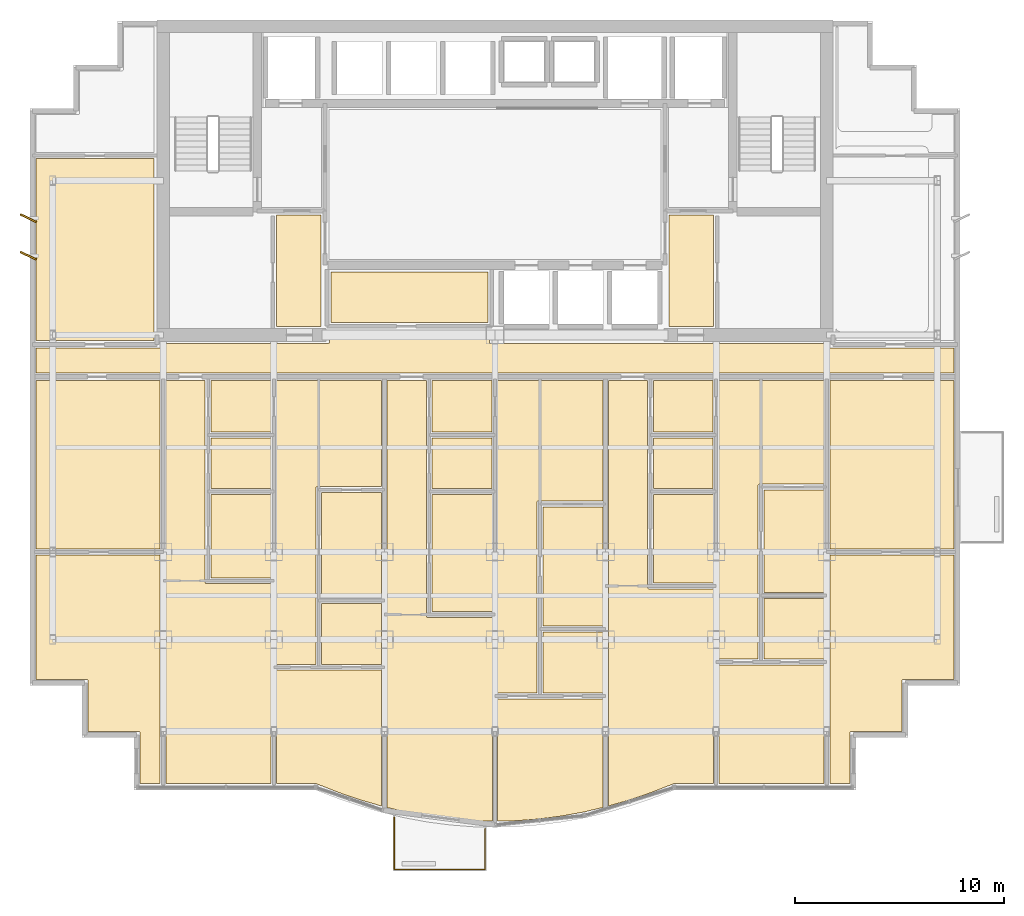
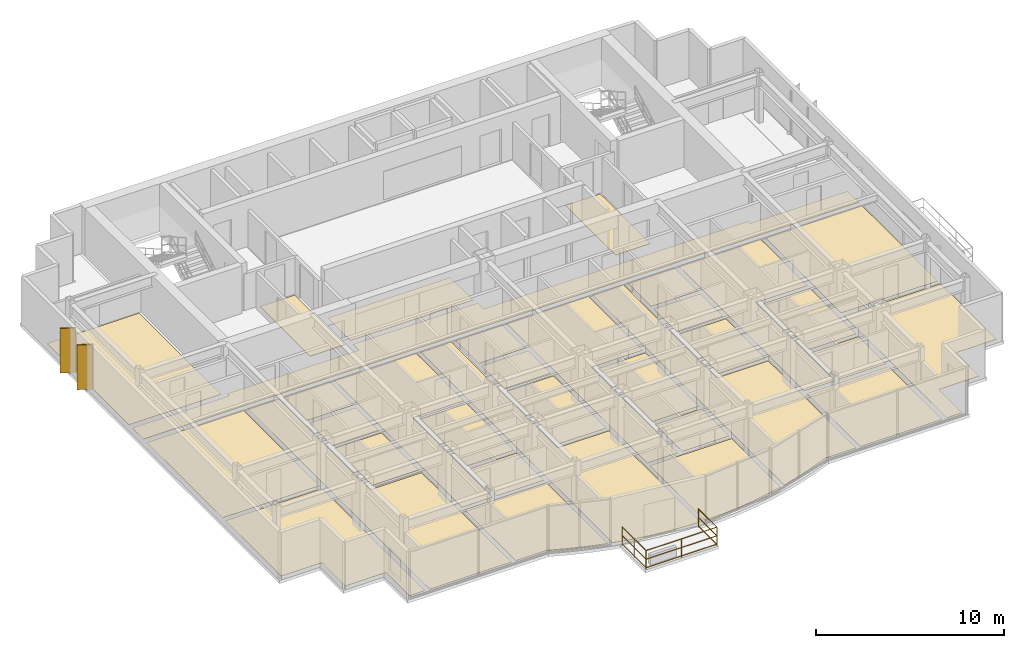
# One storey, part 10 of 11: 33 coverings, 2 shading devices, 1 railing.
"""IFC4 building model written with IfcOpenShell, lengths in metres."""

from ifc_helpers import new_model, si_unit, direction, frame, origin, origin_2d, place, context, subcontext, project, spatial, polyline, rectangle, circle, outline, extrude, source, transform, mapped, material, layer, layer_set, type_object, element, save


model = new_model("IFC4")

# Units and contexts
model_context = context("Model", 3, precision=1e-05, world=origin(), true_north=direction((0.0, 1.0)))
body_context = subcontext(model_context, "Body", "Model", "MODEL_VIEW")
ifc_project = project(units=[si_unit("LENGTHUNIT", "METRE"), si_unit("AREAUNIT", "SQUARE_METRE"), si_unit("VOLUMEUNIT", "CUBIC_METRE"), si_unit("PLANEANGLEUNIT", "RADIAN"), si_unit("MASSUNIT", "GRAM", prefix="KILO")], contexts=[model_context])

# Site, building, storey
site_placement = place(None, origin())
site = spatial("IfcSite", under=ifc_project, at=site_placement, CompositionType="ELEMENT")
building_placement = place(site_placement, origin())
building = spatial("IfcBuilding", under=site, at=building_placement, Name="Qianlan Lanfeng Residences", CompositionType="ELEMENT")
storey_placement = place(building_placement, frame((0.0, 0.0, 165.60009765625)))
storey = spatial("IfcBuildingStorey", under=building, at=storey_placement, Name="L45", CompositionType="ELEMENT", Elevation=165.60009765625)

# Coverings
ifc_material_1 = material(Name="Honed Taitung Granite Stone Flooring", Category="masonry")
ifc_layer_1 = layer(ifc_material_1, 0.030029296875)
ifc_layer_set_1 = layer_set([ifc_layer_1], Name="Honed Taitung Granite Stone Flooring")
covering_type_1 = type_object("IfcCoveringType", Name="FLR-STN-30", PredefinedType="FLOORING", material=ifc_layer_set_1)
covering_1_placement = place(storey_placement, origin())
element("IfcCovering", 1, at=covering_1_placement, inside=storey, type_object=covering_type_1, Name="L45 Residential Corridor Floor Finish", PredefinedType="FLOORING", context=body_context, shape_type="SweptSolid", body=[
    extrude(outline(polyline([(4.489990234375, 23.3798828125), (48.510009765625, 23.3798828125), (48.510009765625, 24.570068359375), (42.590087890625, 24.570068359375), (42.5830078125, 24.570068359375), (42.575927734375, 24.571044921875), (42.570068359375, 24.572998046875), (42.56298828125, 24.574951171875), (42.556884765625, 24.577880859375), (42.551025390625, 24.58203125), (42.5458984375, 24.5859375), (42.541015625, 24.591064453125), (42.535888671875, 24.595947265625), (42.531982421875, 24.60107421875), (42.528076171875, 24.60693359375), (42.52490234375, 24.613037109375), (42.52294921875, 24.6201171875), (42.52099609375, 24.6259765625), (42.52001953125, 24.633056640625), (42.52001953125, 24.639892578125), (42.52001953125, 24.800048828125), (26.300048828125, 24.800048828125), (26.29296875, 24.800048828125), (26.285888671875, 24.801025390625), (26.280029296875, 24.802978515625), (26.27294921875, 24.804931640625), (26.26708984375, 24.80810546875), (26.260986328125, 24.81201171875), (26.256103515625, 24.81591796875), (26.2509765625, 24.821044921875), (26.24609375, 24.825927734375), (26.241943359375, 24.8310546875), (26.238037109375, 24.8369140625), (26.235107421875, 24.843017578125), (26.23291015625, 24.85009765625), (26.23095703125, 24.85595703125), (26.22998046875, 24.863037109375), (26.22998046875, 24.8701171875), (26.22998046875, 25.429931640625), (18.570068359375, 25.429931640625), (18.570068359375, 24.8701171875), (18.570068359375, 24.863037109375), (18.569091796875, 24.85595703125), (18.56689453125, 24.85009765625), (18.56494140625, 24.843017578125), (18.56201171875, 24.8369140625), (18.55810546875, 24.8310546875), (18.553955078125, 24.825927734375), (18.549072265625, 24.821044921875), (18.5439453125, 24.81591796875), (18.5390625, 24.81201171875), (18.532958984375, 24.80810546875), (18.527099609375, 24.804931640625), (18.52001953125, 24.802978515625), (18.513916015625, 24.801025390625), (18.507080078125, 24.800048828125), (18.5, 24.800048828125), (10.47998046875, 24.800048828125), (10.47998046875, 24.639892578125), (10.47998046875, 24.633056640625), (10.47900390625, 24.6259765625), (10.47705078125, 24.6201171875), (10.47509765625, 24.613037109375), (10.471923828125, 24.60693359375), (10.468017578125, 24.60107421875), (10.464111328125, 24.595947265625), (10.458984375, 24.591064453125), (10.4541015625, 24.5859375), (10.448974609375, 24.58203125), (10.443115234375, 24.577880859375), (10.43701171875, 24.574951171875), (10.429931640625, 24.572998046875), (10.424072265625, 24.571044921875), (10.4169921875, 24.570068359375), (10.409912109375, 24.570068359375), (4.489990234375, 24.570068359375), (4.489990234375, 23.3798828125)])), origin(), (0.0, 0.0, 1.0), 0.02978515625),
])
covering_2_placement = place(storey_placement, origin())
element("IfcCovering", 2, at=covering_2_placement, inside=storey, type_object=covering_type_1, Name="L45 Lift Lobby Floor Finish", PredefinedType="FLOORING", context=body_context, shape_type="SweptSolid", body=[
    extrude(outline(polyline([(16.030029296875, 25.610107421875), (18.169921875, 25.610107421875), (18.169921875, 30.949951171875), (16.030029296875, 30.949951171875), (16.030029296875, 25.610107421875)])), origin(), (0.0, 0.0, 1.0), 0.02978515625),
])
covering_3_placement = place(storey_placement, origin())
element("IfcCovering", 3, at=covering_3_placement, inside=storey, type_object=covering_type_1, Name="L45 Lift Lobby Floor Finish", PredefinedType="FLOORING", context=body_context, shape_type="SweptSolid", body=[
    extrude(outline(polyline([(34.830078125, 25.610107421875), (36.969970703125, 25.610107421875), (36.969970703125, 30.949951171875), (34.830078125, 30.949951171875), (34.830078125, 25.610107421875)])), origin(), (0.0, 0.0, 1.0), 0.02978515625),
])
ifc_material_2 = material(Name="Slip-Resistant Porcelain Tile Flooring")
ifc_layer_2 = layer(ifc_material_2, 0.02001953125)
ifc_layer_set_2 = layer_set([ifc_layer_2], Name="Slip-Resistant Porcelain Tile Flooring")
covering_type_2 = type_object("IfcCoveringType", Name="FLR-TIL-20", PredefinedType="FLOORING", material=ifc_layer_set_2)
covering_4_placement = place(storey_placement, origin())
element("IfcCovering", 4, at=covering_4_placement, inside=storey, type_object=covering_type_2, Name="L45 Kitchen Floor Finish", PredefinedType="FLOORING", context=body_context, shape_type="SweptSolid", body=[
    extrude(outline(polyline([(12.889892578125, 17.840087890625), (15.760009765625, 17.840087890625), (15.760009765625, 20.260009765625), (12.889892578125, 20.260009765625), (12.889892578125, 17.840087890625)])), origin(), (0.0, 0.0, 1.0), 0.02001953125),
])
covering_5_placement = place(storey_placement, origin())
element("IfcCovering", 5, at=covering_5_placement, inside=storey, type_object=covering_type_2, Name="L45 Bathroom Floor Finish", PredefinedType="FLOORING", context=body_context, shape_type="SweptSolid", body=[
    extrude(outline(polyline([(12.889892578125, 20.5400390625), (15.760009765625, 20.5400390625), (15.760009765625, 23.030029296875), (12.889892578125, 23.030029296875), (12.889892578125, 20.5400390625)])), origin(), (0.0, 0.0, 1.0), 0.02001953125),
])
covering_6_placement = place(storey_placement, origin())
element("IfcCovering", 6, at=covering_6_placement, inside=storey, type_object=covering_type_2, Name="L45 En-Suite Bathroom Floor Finish", PredefinedType="FLOORING", context=body_context, shape_type="SweptSolid", body=[
    extrude(outline(polyline([(18.18994140625, 9.4140625), (21.070068359375, 9.4140625), (21.070068359375, 12.333984375), (18.18994140625, 12.333984375), (18.18994140625, 9.4140625)])), origin(), (0.0, 0.0, 1.0), 0.02001953125),
])
covering_7_placement = place(storey_placement, origin())
element("IfcCovering", 7, at=covering_7_placement, inside=storey, type_object=covering_type_2, Name="L45 Kitchen Floor Finish", PredefinedType="FLOORING", context=body_context, shape_type="SweptSolid", body=[
    extrude(outline(polyline([(23.489990234375, 17.840087890625), (26.360107421875, 17.840087890625), (26.360107421875, 20.260009765625), (23.489990234375, 20.260009765625), (23.489990234375, 17.840087890625)])), origin(), (0.0, 0.0, 1.0), 0.02001953125),
])
covering_8_placement = place(storey_placement, origin())
element("IfcCovering", 8, at=covering_8_placement, inside=storey, type_object=covering_type_2, Name="L45 Bathroom Floor Finish", PredefinedType="FLOORING", context=body_context, shape_type="SweptSolid", body=[
    extrude(outline(polyline([(23.489990234375, 20.5400390625), (26.360107421875, 20.5400390625), (26.360107421875, 23.030029296875), (23.489990234375, 23.030029296875), (23.489990234375, 20.5400390625)])), origin(), (0.0, 0.0, 1.0), 0.02001953125),
])
covering_9_placement = place(storey_placement, origin())
element("IfcCovering", 9, at=covering_9_placement, inside=storey, type_object=covering_type_2, Name="L45 En-Suite Bathroom Floor Finish", PredefinedType="FLOORING", context=body_context, shape_type="SweptSolid", body=[
    extrude(outline(polyline([(28.7900390625, 8.0390625), (31.669921875, 8.0390625), (31.669921875, 10.958984375), (28.7900390625, 10.958984375), (28.7900390625, 8.0390625)])), origin(), (0.0, 0.0, 1.0), 0.02001953125),
])
covering_10_placement = place(storey_placement, origin())
element("IfcCovering", 10, at=covering_10_placement, inside=storey, type_object=covering_type_2, Name="L45 Kitchen Floor Finish", PredefinedType="FLOORING", context=body_context, shape_type="SweptSolid", body=[
    extrude(outline(polyline([(34.090087890625, 17.840087890625), (36.9599609375, 17.840087890625), (36.9599609375, 20.260009765625), (34.090087890625, 20.260009765625), (34.090087890625, 17.840087890625)])), origin(), (0.0, 0.0, 1.0), 0.02001953125),
])
covering_11_placement = place(storey_placement, origin())
element("IfcCovering", 11, at=covering_11_placement, inside=storey, type_object=covering_type_2, Name="L45 Bathroom Floor Finish", PredefinedType="FLOORING", context=body_context, shape_type="SweptSolid", body=[
    extrude(outline(polyline([(34.090087890625, 20.5400390625), (36.9599609375, 20.5400390625), (36.9599609375, 23.030029296875), (34.090087890625, 23.030029296875), (34.090087890625, 20.5400390625)])), origin(), (0.0, 0.0, 1.0), 0.02001953125),
])
covering_12_placement = place(storey_placement, origin())
element("IfcCovering", 12, at=covering_12_placement, inside=storey, type_object=covering_type_2, Name="L45 En-Suite Bathroom Floor Finish", PredefinedType="FLOORING", context=body_context, shape_type="SweptSolid", body=[
    extrude(outline(polyline([(39.389892578125, 9.659912109375), (42.27001953125, 9.659912109375), (42.27001953125, 12.580078125), (39.389892578125, 12.580078125), (39.389892578125, 9.659912109375)])), origin(), (0.0, 0.0, 1.0), 0.02001953125),
])
ifc_material_3 = material(Name="Engineered Smoked Oak Timber Flooring", Category="wood")
ifc_layer_3 = layer(ifc_material_3, 0.02197265625)
ifc_layer_set_3 = layer_set([ifc_layer_3], Name="Engineered Smoked Oak Timber Flooring")
covering_type_3 = type_object("IfcCoveringType", Name="FLR-TIM-22", PredefinedType="FLOORING", material=ifc_layer_set_3)
covering_13_placement = place(storey_placement, origin())
element("IfcCovering", 13, at=covering_13_placement, inside=storey, type_object=covering_type_3, Name="L45 Resident Reading Lounge Floor Finish", PredefinedType="FLOORING", context=body_context, shape_type="SweptSolid", body=[
    extrude(outline(polyline([(18.6298828125, 25.800048828125), (26.169921875, 25.800048828125), (26.169921875, 28.22998046875), (18.6298828125, 28.22998046875), (18.6298828125, 25.800048828125)])), origin(), (0.0, 0.0, 1.0), 0.02197265625),
])
covering_14_placement = place(storey_placement, origin())
element("IfcCovering", 14, at=covering_14_placement, inside=storey, type_object=covering_type_3, Name="L45 Living and Dining Room Floor Finish", PredefinedType="FLOORING", context=body_context, shape_type="SweptSolid", body=[
    extrude(outline(polyline([(15.77001953125, 3.68994140625), (15.77001953125, 13.280029296875), (12.679931640625, 13.280029296875), (12.673095703125, 13.280029296875), (12.666015625, 13.281005859375), (12.659912109375, 13.282958984375), (12.653076171875, 13.284912109375), (12.64697265625, 13.2880859375), (12.64111328125, 13.2919921875), (12.635986328125, 13.2958984375), (12.631103515625, 13.301025390625), (12.6259765625, 13.305908203125), (12.6220703125, 13.31103515625), (12.617919921875, 13.31689453125), (12.614990234375, 13.322998046875), (12.613037109375, 13.330078125), (12.611083984375, 13.3359375), (12.610107421875, 13.343017578125), (12.610107421875, 13.35009765625), (12.610107421875, 23.030029296875), (10.72998046875, 23.030029296875), (10.72998046875, 3.68994140625), (15.77001953125, 3.68994140625)])), origin(), (0.0, 0.0, 1.0), 0.02197265625),
])
covering_15_placement = place(storey_placement, origin())
element("IfcCovering", 15, at=covering_15_placement, inside=storey, type_object=covering_type_3, Name="L45 Villa Family Sitting Room Floor Finish", PredefinedType="FLOORING", context=body_context, shape_type="SweptSolid", body=[
    extrude(outline(polyline([(12.889892578125, 17.56005859375), (12.889892578125, 13.56005859375), (15.77001953125, 13.56005859375), (15.77001953125, 17.56005859375), (12.889892578125, 17.56005859375)])), origin(), (0.0, 0.0, 1.0), 0.02197265625),
])
covering_16_placement = place(storey_placement, origin())
element("IfcCovering", 16, at=covering_16_placement, inside=storey, type_object=covering_type_3, Name="L45 Private Study Floor Finish", PredefinedType="FLOORING", context=body_context, shape_type="SweptSolid", body=[
    extrude(outline(polyline([(18.18994140625, 12.614013671875), (21.070068359375, 12.614013671875), (21.070068359375, 17.64697265625), (18.18994140625, 17.64697265625), (18.18994140625, 12.614013671875)])), origin(), (0.0, 0.0, 1.0), 0.02197265625),
])
covering_17_placement = place(storey_placement, origin())
element("IfcCovering", 17, at=covering_17_placement, inside=storey, type_object=covering_type_3, Name="L45 Villa Family Sitting Room Floor Finish", PredefinedType="FLOORING", context=body_context, shape_type="SweptSolid", body=[
    extrude(outline(polyline([(16.030029296875, 9.4140625), (17.909912109375, 9.4140625), (17.909912109375, 17.85693359375), (17.909912109375, 17.864013671875), (17.910888671875, 17.87109375), (17.9130859375, 17.876953125), (17.9150390625, 17.884033203125), (17.91796875, 17.889892578125), (17.922119140625, 17.89599609375), (17.926025390625, 17.90087890625), (17.930908203125, 17.906005859375), (17.93603515625, 17.910888671875), (17.94091796875, 17.9150390625), (17.947021484375, 17.9189453125), (17.952880859375, 17.922119140625), (17.9599609375, 17.924072265625), (17.966064453125, 17.926025390625), (17.972900390625, 17.927001953125), (17.97998046875, 17.927001953125), (21.070068359375, 17.927001953125), (21.070068359375, 23.030029296875), (16.030029296875, 23.030029296875), (16.030029296875, 9.4140625)])), origin(), (0.0, 0.0, 1.0), 0.02197265625),
])
covering_18_placement = place(storey_placement, origin())
element("IfcCovering", 18, at=covering_18_placement, inside=storey, type_object=covering_type_3, Name="L45 Master Bedroom Floor Finish", PredefinedType="FLOORING", context=body_context, shape_type="SweptSolid", body=[
    extrude(outline(polyline([(16.030029296875, 9.134033203125), (16.030029296875, 3.68994140625), (17.922119140625, 3.68994140625), (17.927978515625, 3.68994140625), (17.93505859375, 3.68896484375), (17.94091796875, 3.68701171875), (17.947021484375, 3.68505859375), (19.056884765625, 3.25), (20.1220703125, 2.888916015625), (21.070068359375, 2.616943359375), (21.070068359375, 9.134033203125), (16.030029296875, 9.134033203125)])), origin(), (0.0, 0.0, 1.0), 0.02197265625),
])
covering_19_placement = place(storey_placement, origin())
element("IfcCovering", 19, at=covering_19_placement, inside=storey, type_object=covering_type_3, Name="L45 Living and Dining Room Floor Finish", PredefinedType="FLOORING", context=body_context, shape_type="SweptSolid", body=[
    extrude(outline(polyline([(26.3701171875, 1.89306640625), (26.3701171875, 11.658935546875), (23.280029296875, 11.658935546875), (23.27294921875, 11.658935546875), (23.26611328125, 11.659912109375), (23.260009765625, 11.662109375), (23.2529296875, 11.6640625), (23.2470703125, 11.6669921875), (23.240966796875, 11.6708984375), (23.236083984375, 11.675048828125), (23.23095703125, 11.679931640625), (23.22607421875, 11.68505859375), (23.221923828125, 11.68994140625), (23.218017578125, 11.696044921875), (23.215087890625, 11.701904296875), (23.212890625, 11.708984375), (23.2109375, 11.715087890625), (23.2099609375, 11.721923828125), (23.2099609375, 11.72900390625), (23.2099609375, 23.030029296875), (21.330078125, 23.030029296875), (21.330078125, 2.550048828125), (22.2490234375, 2.333984375), (23.31201171875, 2.139892578125), (24.375, 2.001953125), (25.43701171875, 1.91796875), (26.3701171875, 1.89306640625)])), origin(), (0.0, 0.0, 1.0), 0.02197265625),
])
covering_20_placement = place(storey_placement, origin())
element("IfcCovering", 20, at=covering_20_placement, inside=storey, type_object=covering_type_3, Name="L45 Villa Family Sitting Room Floor Finish", PredefinedType="FLOORING", context=body_context, shape_type="SweptSolid", body=[
    extrude(outline(polyline([(23.489990234375, 17.56005859375), (23.489990234375, 11.93896484375), (26.3701171875, 11.93896484375), (26.3701171875, 17.56005859375), (23.489990234375, 17.56005859375)])), origin(), (0.0, 0.0, 1.0), 0.02197265625),
])
covering_21_placement = place(storey_placement, origin())
element("IfcCovering", 21, at=covering_21_placement, inside=storey, type_object=covering_type_3, Name="L45 Private Study Floor Finish", PredefinedType="FLOORING", context=body_context, shape_type="SweptSolid", body=[
    extrude(outline(polyline([(28.7900390625, 11.239013671875), (31.669921875, 11.239013671875), (31.669921875, 16.958984375), (28.7900390625, 16.958984375), (28.7900390625, 11.239013671875)])), origin(), (0.0, 0.0, 1.0), 0.02197265625),
])
covering_22_placement = place(storey_placement, origin())
element("IfcCovering", 22, at=covering_22_placement, inside=storey, type_object=covering_type_3, Name="L45 Villa Family Sitting Room Floor Finish", PredefinedType="FLOORING", context=body_context, shape_type="SweptSolid", body=[
    extrude(outline(polyline([(26.6298828125, 8.0390625), (28.510009765625, 8.0390625), (28.510009765625, 17.1689453125), (28.510009765625, 17.176025390625), (28.510986328125, 17.18310546875), (28.512939453125, 17.18896484375), (28.514892578125, 17.196044921875), (28.51806640625, 17.201904296875), (28.52197265625, 17.2080078125), (28.52587890625, 17.212890625), (28.531005859375, 17.218017578125), (28.535888671875, 17.222900390625), (28.541015625, 17.22705078125), (28.547119140625, 17.23095703125), (28.552978515625, 17.23388671875), (28.56005859375, 17.236083984375), (28.56591796875, 17.238037109375), (28.572998046875, 17.239013671875), (28.580078125, 17.239013671875), (31.669921875, 17.239013671875), (31.669921875, 23.030029296875), (26.6298828125, 23.030029296875), (26.6298828125, 8.0390625)])), origin(), (0.0, 0.0, 1.0), 0.02197265625),
])
covering_23_placement = place(storey_placement, origin())
element("IfcCovering", 23, at=covering_23_placement, inside=storey, type_object=covering_type_3, Name="L45 Master Bedroom Floor Finish", PredefinedType="FLOORING", context=body_context, shape_type="SweptSolid", body=[
    extrude(outline(polyline([(26.6298828125, 7.759033203125), (26.6298828125, 1.89306640625), (27.56298828125, 1.91796875), (28.625, 2.0009765625), (29.68701171875, 2.139892578125), (30.7509765625, 2.333984375), (31.669921875, 2.550048828125), (31.669921875, 7.759033203125), (26.6298828125, 7.759033203125)])), origin(), (0.0, 0.0, 1.0), 0.02197265625),
])
covering_24_placement = place(storey_placement, origin())
element("IfcCovering", 24, at=covering_24_placement, inside=storey, type_object=covering_type_3, Name="L45 Living and Dining Room Floor Finish", PredefinedType="FLOORING", context=body_context, shape_type="SweptSolid", body=[
    extrude(outline(polyline([(36.969970703125, 3.68994140625), (36.969970703125, 13.033935546875), (33.8798828125, 13.033935546875), (33.873046875, 13.033935546875), (33.865966796875, 13.034912109375), (33.860107421875, 13.037109375), (33.85302734375, 13.0390625), (33.846923828125, 13.0419921875), (33.841064453125, 13.0458984375), (33.8359375, 13.050048828125), (33.8310546875, 13.054931640625), (33.825927734375, 13.06005859375), (33.822021484375, 13.06494140625), (33.818115234375, 13.071044921875), (33.81494140625, 13.076904296875), (33.81298828125, 13.083984375), (33.81103515625, 13.090087890625), (33.81005859375, 13.096923828125), (33.81005859375, 13.10400390625), (33.81005859375, 23.030029296875), (31.929931640625, 23.030029296875), (31.929931640625, 2.616943359375), (32.8779296875, 2.888916015625), (33.94189453125, 3.25), (35.052978515625, 3.68505859375), (35.05908203125, 3.68701171875), (35.06494140625, 3.68896484375), (35.072021484375, 3.68994140625), (35.077880859375, 3.68994140625), (36.969970703125, 3.68994140625)])), origin(), (0.0, 0.0, 1.0), 0.02197265625),
])
covering_25_placement = place(storey_placement, origin())
element("IfcCovering", 25, at=covering_25_placement, inside=storey, type_object=covering_type_3, Name="L45 Villa Family Sitting Room Floor Finish", PredefinedType="FLOORING", context=body_context, shape_type="SweptSolid", body=[
    extrude(outline(polyline([(34.090087890625, 17.56005859375), (34.090087890625, 13.31396484375), (36.969970703125, 13.31396484375), (36.969970703125, 17.56005859375), (34.090087890625, 17.56005859375)])), origin(), (0.0, 0.0, 1.0), 0.02197265625),
])
covering_26_placement = place(storey_placement, origin())
element("IfcCovering", 26, at=covering_26_placement, inside=storey, type_object=covering_type_3, Name="L45 Private Study Floor Finish", PredefinedType="FLOORING", context=body_context, shape_type="SweptSolid", body=[
    extrude(outline(polyline([(39.389892578125, 12.860107421875), (42.27001953125, 12.860107421875), (42.27001953125, 17.77001953125), (39.389892578125, 17.77001953125), (39.389892578125, 12.860107421875)])), origin(), (0.0, 0.0, 1.0), 0.02197265625),
])
covering_27_placement = place(storey_placement, origin())
element("IfcCovering", 27, at=covering_27_placement, inside=storey, type_object=covering_type_3, Name="L45 Villa Family Sitting Room Floor Finish", PredefinedType="FLOORING", context=body_context, shape_type="SweptSolid", body=[
    extrude(outline(polyline([(37.22998046875, 9.659912109375), (39.110107421875, 9.659912109375), (39.110107421875, 17.97998046875), (39.110107421875, 17.987060546875), (39.111083984375, 17.993896484375), (39.113037109375, 18.0), (39.114990234375, 18.007080078125), (39.117919921875, 18.012939453125), (39.1220703125, 18.01904296875), (39.1259765625, 18.02392578125), (39.131103515625, 18.029052734375), (39.135986328125, 18.033935546875), (39.14111328125, 18.0380859375), (39.14697265625, 18.0419921875), (39.153076171875, 18.044921875), (39.159912109375, 18.047119140625), (39.166015625, 18.049072265625), (39.173095703125, 18.050048828125), (39.179931640625, 18.050048828125), (42.27001953125, 18.050048828125), (42.27001953125, 23.030029296875), (37.22998046875, 23.030029296875), (37.22998046875, 9.659912109375)])), origin(), (0.0, 0.0, 1.0), 0.02197265625),
])
covering_28_placement = place(storey_placement, origin())
element("IfcCovering", 28, at=covering_28_placement, inside=storey, type_object=covering_type_3, Name="L45 Master Bedroom Floor Finish", PredefinedType="FLOORING", context=body_context, shape_type="SweptSolid", body=[
    extrude(outline(polyline([(37.22998046875, 9.3798828125), (37.22998046875, 3.68994140625), (42.27001953125, 3.68994140625), (42.27001953125, 9.3798828125), (37.22998046875, 9.3798828125)])), origin(), (0.0, 0.0, 1.0), 0.02197265625),
])
covering_29_placement = place(storey_placement, origin())
element("IfcCovering", 29, at=covering_29_placement, inside=storey, type_object=covering_type_3, Name="L45 Sunroom Floor Finish", PredefinedType="FLOORING", context=body_context, shape_type="SweptSolid", body=[
    extrude(outline(polyline([(10.43994140625, 14.64990234375), (4.489990234375, 14.64990234375), (4.489990234375, 8.68994140625), (6.919921875, 8.68994140625), (6.927001953125, 8.68994140625), (6.93408203125, 8.68896484375), (6.93994140625, 8.68701171875), (6.947021484375, 8.68505859375), (6.952880859375, 8.681884765625), (6.958984375, 8.677978515625), (6.964111328125, 8.674072265625), (6.968994140625, 8.6689453125), (6.97412109375, 8.6640625), (6.97802734375, 8.658935546875), (6.98193359375, 8.653076171875), (6.985107421875, 8.64697265625), (6.987060546875, 8.639892578125), (6.989013671875, 8.634033203125), (6.989990234375, 8.626953125), (6.989990234375, 8.6201171875), (6.989990234375, 6.18994140625), (9.419921875, 6.18994140625), (9.427001953125, 6.18994140625), (9.43408203125, 6.18896484375), (9.43994140625, 6.18701171875), (9.447021484375, 6.18505859375), (9.452880859375, 6.181884765625), (9.458984375, 6.177978515625), (9.464111328125, 6.174072265625), (9.468994140625, 6.1689453125), (9.47412109375, 6.1640625), (9.47802734375, 6.158935546875), (9.48193359375, 6.153076171875), (9.485107421875, 6.14697265625), (9.487060546875, 6.139892578125), (9.489013671875, 6.134033203125), (9.489990234375, 6.126953125), (9.489990234375, 6.1201171875), (9.489990234375, 3.68994140625), (10.43994140625, 3.68994140625), (10.43994140625, 14.64990234375)])), origin(), (0.0, 0.0, 1.0), 0.02197265625),
])
covering_30_placement = place(storey_placement, origin())
element("IfcCovering", 30, at=covering_30_placement, inside=storey, type_object=covering_type_3, Name="L45 Family Sitting Room Floor Finish", PredefinedType="FLOORING", context=body_context, shape_type="SweptSolid", body=[
    extrude(outline(polyline([(10.43994140625, 23.030029296875), (4.489990234375, 23.030029296875), (4.489990234375, 14.949951171875), (10.43994140625, 14.949951171875), (10.43994140625, 23.030029296875)])), origin(), (0.0, 0.0, 1.0), 0.02197265625),
])
covering_31_placement = place(storey_placement, origin())
element("IfcCovering", 31, at=covering_31_placement, inside=storey, type_object=covering_type_3, Name="L45 Sunroom Floor Finish", PredefinedType="FLOORING", context=body_context, shape_type="SweptSolid", body=[
    extrude(outline(polyline([(48.510009765625, 14.64990234375), (42.56005859375, 14.64990234375), (42.56005859375, 3.68994140625), (43.510009765625, 3.68994140625), (43.510009765625, 6.1201171875), (43.510009765625, 6.126953125), (43.510986328125, 6.134033203125), (43.512939453125, 6.139892578125), (43.514892578125, 6.14697265625), (43.51806640625, 6.153076171875), (43.52197265625, 6.158935546875), (43.52587890625, 6.1640625), (43.531005859375, 6.1689453125), (43.535888671875, 6.174072265625), (43.541015625, 6.177978515625), (43.547119140625, 6.181884765625), (43.552978515625, 6.18505859375), (43.56005859375, 6.18701171875), (43.56591796875, 6.18896484375), (43.572998046875, 6.18994140625), (43.580078125, 6.18994140625), (46.010009765625, 6.18994140625), (46.010009765625, 8.6201171875), (46.010009765625, 8.626953125), (46.010986328125, 8.634033203125), (46.012939453125, 8.639892578125), (46.014892578125, 8.64697265625), (46.01806640625, 8.653076171875), (46.02197265625, 8.658935546875), (46.02587890625, 8.6640625), (46.031005859375, 8.6689453125), (46.035888671875, 8.674072265625), (46.041015625, 8.677978515625), (46.047119140625, 8.681884765625), (46.052978515625, 8.68505859375), (46.06005859375, 8.68701171875), (46.06591796875, 8.68896484375), (46.072998046875, 8.68994140625), (46.080078125, 8.68994140625), (48.510009765625, 8.68994140625), (48.510009765625, 14.64990234375)])), origin(), (0.0, 0.0, 1.0), 0.02197265625),
])
covering_32_placement = place(storey_placement, origin())
element("IfcCovering", 32, at=covering_32_placement, inside=storey, type_object=covering_type_3, Name="L45 Private Study Floor Finish", PredefinedType="FLOORING", context=body_context, shape_type="SweptSolid", body=[
    extrude(outline(polyline([(48.510009765625, 23.030029296875), (42.56005859375, 23.030029296875), (42.56005859375, 14.949951171875), (48.510009765625, 14.949951171875), (48.510009765625, 23.030029296875)])), origin(), (0.0, 0.0, 1.0), 0.02197265625),
])
covering_33_placement = place(storey_placement, origin())
element("IfcCovering", 33, at=covering_33_placement, inside=storey, type_object=covering_type_3, Name="L45 Gallery Salon Floor Finish", PredefinedType="FLOORING", context=body_context, shape_type="SweptSolid", body=[
    extrude(outline(polyline([(10.14990234375, 33.64990234375), (4.489990234375, 33.64990234375), (4.489990234375, 24.929931640625), (10.14990234375, 24.929931640625), (10.14990234375, 33.64990234375)])), origin(), (0.0, 0.0, 1.0), 0.02197265625),
])

# Railing
ifc_material_4 = material(Name="Anodised Bronze Aluminium and Laminated Glass Guard Balustrade", Category="aluminium")
railing_type = type_object("IfcRailingType", Name="GR-EXT-1220", PredefinedType="BALUSTRADE", material=ifc_material_4)
railing_placement = place(storey_placement, frame((26.030029296875, 1.5419921875, 0.0)))
element("IfcRailing", 34, at=railing_placement, inside=storey, type_object=railing_type, Name="L45 Terrace Safety Guard GR-L45-SB-C", PredefinedType="BALUSTRADE", context=body_context, shape_type="SweptSolid", body=[
    extrude(circle(Radius=0.02490234375, at=origin_2d()), frame((0.0, 0.0, 0.0849609375), z_axis=(0.0, -1.0, 0.0), x_axis=(1.0, 0.0, 0.0)), (0.0, 0.0, 1.0), 1.971923828125),
    extrude(circle(Radius=0.02490234375, at=origin_2d()), frame((0.0, 0.0, 0.63427734375), z_axis=(0.0, -1.0, 0.0), x_axis=(1.0, 0.0, 0.0)), (0.0, 0.0, 1.0), 1.971923828125),
    extrude(circle(Radius=0.02490234375, at=origin_2d()), frame((0.0, 0.0, 1.19482421875), z_axis=(0.0, -1.0, 0.0), x_axis=(1.0, 0.0, 0.0)), (0.0, 0.0, 1.0), 1.971923828125),
    extrude(circle(Radius=0.02490234375, at=origin_2d()), frame((0.0, -1.971923828125, 0.0849609375), z_axis=(-1.0, 0.0, 0.0), x_axis=(0.0, -1.0, 0.0)), (0.0, 0.0, 1.0), 4.360107421875),
    extrude(circle(Radius=0.02490234375, at=origin_2d()), frame((0.0, -1.971923828125, 0.63427734375), z_axis=(-1.0, 0.0, 0.0), x_axis=(0.0, -1.0, 0.0)), (0.0, 0.0, 1.0), 4.360107421875),
    extrude(circle(Radius=0.02490234375, at=origin_2d()), frame((0.0, -1.971923828125, 1.19482421875), z_axis=(-1.0, 0.0, 0.0), x_axis=(0.0, -1.0, 0.0)), (0.0, 0.0, 1.0), 4.360107421875),
    extrude(circle(Radius=0.02490234375, at=origin_2d()), frame((-4.360107421875, -1.971923828125, 0.0849609375), z_axis=(0.0, 1.0, 0.0), x_axis=(-1.0, 0.0, 0.0)), (0.0, 0.0, 1.0), 2.530029296875),
    extrude(circle(Radius=0.02490234375, at=origin_2d()), frame((-4.360107421875, -1.971923828125, 0.63427734375), z_axis=(0.0, 1.0, 0.0), x_axis=(-1.0, 0.0, 0.0)), (0.0, 0.0, 1.0), 2.530029296875),
    extrude(circle(Radius=0.02490234375, at=origin_2d()), frame((-4.360107421875, -1.971923828125, 1.19482421875), z_axis=(0.0, 1.0, 0.0), x_axis=(-1.0, 0.0, 0.0)), (0.0, 0.0, 1.0), 2.530029296875),
    extrude(circle(Radius=0.02099609375, at=origin_2d()), origin(), (0.0, 0.0, 1.0), 1.169921875),
    extrude(circle(Radius=0.02099609375, at=origin_2d()), frame((0.0, -1.971923828125, 0.0)), (0.0, 0.0, 1.0), 1.169921875),
    extrude(circle(Radius=0.02099609375, at=origin_2d()), frame((-2.18017578125, -1.971923828125, 0.0)), (0.0, 0.0, 1.0), 1.169921875),
    extrude(circle(Radius=0.02099609375, at=origin_2d()), frame((-4.360107421875, -1.971923828125, 0.0)), (0.0, 0.0, 1.0), 1.169921875),
    extrude(circle(Radius=0.02099609375, at=origin_2d()), frame((-4.360107421875, -0.70703125, 0.0)), (0.0, 0.0, 1.0), 1.169921875),
    extrude(circle(Radius=0.02099609375, at=origin_2d()), frame((-4.360107421875, 0.55810546875, 0.0)), (0.0, 0.0, 1.0), 1.169921875),
])

# Shading devices
ifc_material_5 = material(Name="Anodised Bronze Aluminium Solar Fin", Category="aluminium")
shading_device_type = type_object("IfcShadingDeviceType", Name="FIN-BRZ-850", PredefinedType="SHUTTER", material=ifc_material_5)
shared_shape = source(origin(), body_context, "Body", "SweptSolid", [
    extrude(rectangle(XDim=0.85009765625, YDim=0.080078125, at=origin_2d()), origin(), (0.0, 0.0, 1.0), 2.89990234375),
])
for number, where, z_axis, x_axis, name in (
    (35, (4.1298828125, 29.0, 0.0), (0.0, 0.0, 1.0), (0.898794046299, -0.438371146789, 0.0), "L45 Raked Bronze Solar Fin W1"),
    (36, (4.1298828125, 30.800048828125, 0.0), (0.0, 0.0, 1.0), (0.898794046299, -0.438371146789, 0.0), "L45 Raked Bronze Solar Fin W2"),
):
    element("IfcShadingDevice", number, at=place(storey_placement, frame(where, z_axis=z_axis, x_axis=x_axis)), inside=storey, type_object=shading_device_type, Name=name, PredefinedType="SHUTTER", context=body_context, shape_type="MappedRepresentation", body=[
        mapped(shared_shape, transform((0.0, 0.0, 0.0), scale=1.0)),
    ])

save(model, "model.ifc")
